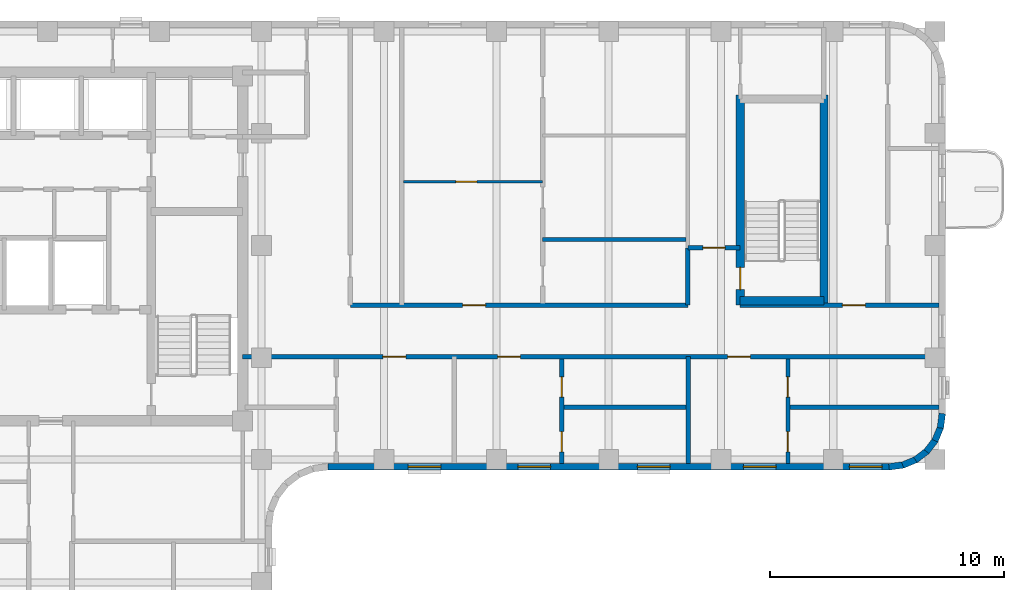
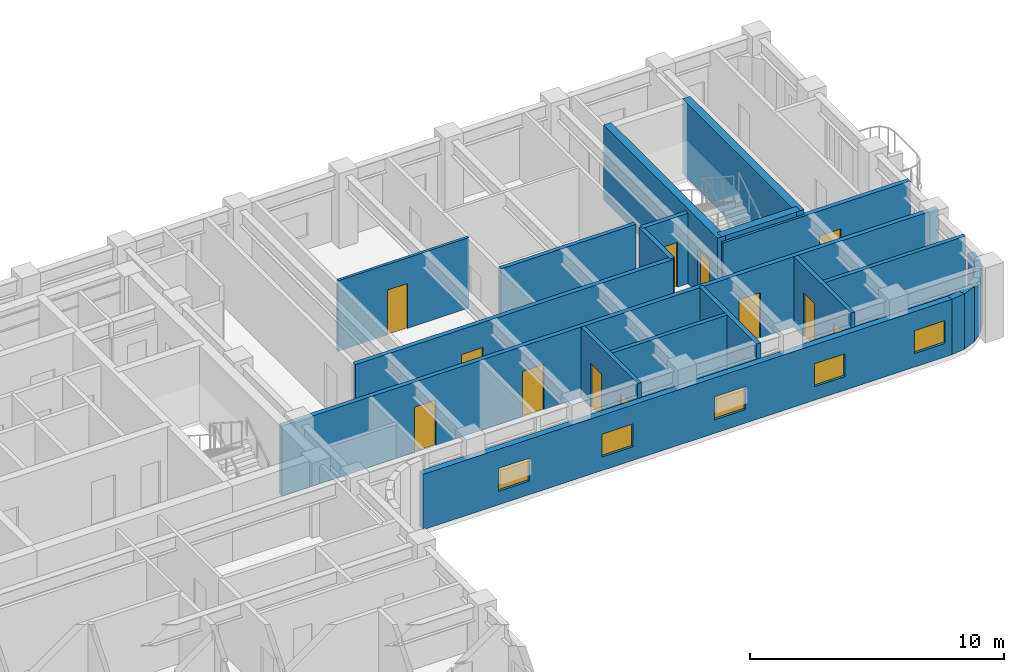
# One storey, part 5 of 10: 22 walls, 12 doors, 5 windows, 17 openings.
"""IFC4 building model written with IfcOpenShell, lengths in metres."""

from ifc_helpers import new_model, si_unit, direction, frame, frame_2d, origin, place, context, subcontext, project, spatial, rectangle, extrude, material, layer, layer_set, type_object, element, fill, save


model = new_model("IFC4")

# Units and contexts
model_context = context("Model", 3, precision=1e-05, world=origin(), true_north=direction((0.0, 1.0)))
body_context = subcontext(model_context, "Body", "Model", "MODEL_VIEW")
ifc_project = project(units=[si_unit("LENGTHUNIT", "METRE"), si_unit("AREAUNIT", "SQUARE_METRE"), si_unit("VOLUMEUNIT", "CUBIC_METRE"), si_unit("PLANEANGLEUNIT", "RADIAN"), si_unit("MASSUNIT", "GRAM", prefix="KILO")], contexts=[model_context])

# Site, building, storey
site_placement = place(None, origin())
site = spatial("IfcSite", under=ifc_project, at=site_placement, CompositionType="ELEMENT")
building_placement = place(site_placement, origin())
building = spatial("IfcBuilding", under=site, at=building_placement, Name="Orvandelia Arch Residences", CompositionType="ELEMENT")
storey_placement = place(building_placement, frame((0.0, 0.0, 211.0)))
storey = spatial("IfcBuildingStorey", under=building, at=storey_placement, Name="L55", CompositionType="ELEMENT", Elevation=211.0)

# Wall, opening, door
ifc_material_1 = material(Name="Concrete C50/60", Category="concrete")
ifc_layer_1 = layer(ifc_material_1, 0.35009765625, Name="Concrete C50/60", Category="concrete")
ifc_layer_set_1 = layer_set([ifc_layer_1], Name="Concrete C50/60")
wall_type_1 = type_object("IfcWallType", Name="WL-CORE-350", PredefinedType="SHEAR", material=ifc_layer_set_1)
wall_1_placement = place(storey_placement, frame((44.02001953125, 35.864990234375, 0.0), z_axis=(0.0, 0.0, 1.0), x_axis=(0.0, 1.0, 0.0)))
wall_1 = element("IfcWall", 1, at=wall_1_placement, inside=storey, type_object=wall_type_1, Name="East Stair Core Shear Wall L55-W", PredefinedType="SHEAR", context=body_context, shape_type="SweptSolid", body=[
    extrude(rectangle(XDim=8.969970703125, YDim=0.35009765625, at=frame_2d((4.48486328125, 0.0))), origin(), (0.0, 0.0, 1.0), 3.60009765625),
])
opening_1_placement = place(wall_1_placement, frame((0.64990234375, 0.0, 0.0)))
opening_1 = element("IfcOpeningElement", 2, at=opening_1_placement, cuts=wall_1, Name="Opening D7", PredefinedType="OPENING", context=body_context, shape_type="SweptSolid", body=[
    extrude(rectangle(XDim=0.949951171875, YDim=2.10009765625, at=frame_2d((0.47509765625, 1.050048828125))), frame((0.0, 0.18505859375, 0.0), z_axis=(0.0, -1.0, 0.0), x_axis=(1.0, 0.0, 0.0)), (0.0, 0.0, 1.0), 0.3701171875),
])
ifc_material_2 = material(Name="Pressurised Stairwell Fire Door")
door_type_1 = type_object("IfcDoorType", Name="DR-STAIR-950", OperationType="NOTDEFINED", PredefinedType="DOOR", material=ifc_material_2)
door_1_placement = place(opening_1_placement, origin())
door_1 = element("IfcDoor", 3, at=door_1_placement, inside=storey, type_object=door_type_1, Name="East Stairwell ST-3 Fire Door L55", OperationType="SINGLE_SWING_LEFT", OverallHeight=2.10009765625, OverallWidth=0.949951171875, PredefinedType="DOOR", context=body_context, shape_type="SweptSolid", body=[
    extrude(rectangle(XDim=0.949951171875, YDim=2.10009765625, at=frame_2d((0.47509765625, 1.050048828125))), frame((0.0, 0.02490234375, 0.0), z_axis=(0.0, -1.0, 0.0), x_axis=(1.0, 0.0, 0.0)), (0.0, 0.0, 1.0), 0.050048828125),
])
fill(opening_1, door_1)

# Walls
wall_2_placement = place(storey_placement, frame((47.60009765625, 35.864990234375, 0.0), z_axis=(0.0, 0.0, 1.0), x_axis=(0.0, 1.0, 0.0)))
element("IfcWall", 4, at=wall_2_placement, inside=storey, type_object=wall_type_1, Name="East Stair Core Shear Wall L55-E", PredefinedType="SHEAR", context=body_context, shape_type="SweptSolid", body=[
    extrude(rectangle(XDim=8.969970703125, YDim=0.35009765625, at=frame_2d((4.48486328125, 0.0))), origin(), (0.0, 0.0, 1.0), 3.60009765625),
])
wall_3_placement = place(storey_placement, frame((44.02001953125, 36.0400390625, 0.0), z_axis=(0.0, 0.0, 1.0), x_axis=(1.0, 0.0, 0.0)))
element("IfcWall", 5, at=wall_3_placement, inside=storey, type_object=wall_type_1, Name="East Stair Core Shear Wall L55-S", PredefinedType="SHEAR", context=body_context, shape_type="SweptSolid", body=[
    extrude(rectangle(XDim=3.580078125, YDim=0.35009765625, at=frame_2d((1.7900390625, 0.0))), origin(), (0.0, 0.0, 1.0), 3.60009765625),
])

# Wall, openings, doors
ifc_material_3 = material(Name="Fire-Rated Corridor Partition")
ifc_layer_2 = layer(ifc_material_3, 0.199951171875, Name="Fire-Rated Corridor Partition")
ifc_layer_set_2 = layer_set([ifc_layer_2], Name="Fire-Rated Corridor Partition")
wall_type_2 = type_object("IfcWallType", Name="WL-CORR-200", PredefinedType="PARTITIONING", material=ifc_layer_set_2)
wall_4_placement = place(storey_placement, frame((22.75, 33.64990234375, 0.0), z_axis=(0.0, 0.0, 1.0), x_axis=(1.0, 0.0, 0.0)))
wall_4 = element("IfcWall", 6, at=wall_4_placement, inside=storey, type_object=wall_type_2, Name="Interior Partition Wall WL-L55-ES-S", PredefinedType="PARTITIONING", context=body_context, shape_type="SweptSolid", body=[
    extrude(rectangle(XDim=29.77001953125, YDim=0.199951171875, at=frame_2d((14.885009765625, 0.0))), origin(), (0.0, 0.0, 1.0), 3.3798828125),
])
opening_2_placement = place(wall_4_placement, frame((5.9951171875, 0.0, 0.0)))
opening_2 = element("IfcOpeningElement", 7, at=opening_2_placement, cuts=wall_4, Name="Opening D1", PredefinedType="OPENING", context=body_context, shape_type="SweptSolid", body=[
    extrude(rectangle(XDim=0.97998046875, YDim=2.179931640625, at=frame_2d((0.489990234375, 1.08984375))), frame((0.0, 0.10986328125, 0.0), z_axis=(0.0, -1.0, 0.0), x_axis=(1.0, 0.0, 0.0)), (0.0, 0.0, 1.0), 0.219970703125),
])
opening_3_placement = place(wall_4_placement, frame((10.89599609375, 0.0, 0.0)))
opening_3 = element("IfcOpeningElement", 8, at=opening_3_placement, cuts=wall_4, Name="Opening D1", PredefinedType="OPENING", context=body_context, shape_type="SweptSolid", body=[
    extrude(rectangle(XDim=0.97998046875, YDim=2.179931640625, at=frame_2d((0.489990234375, 1.08984375))), frame((0.0, 0.10986328125, 0.0), z_axis=(0.0, -1.0, 0.0), x_axis=(1.0, 0.0, 0.0)), (0.0, 0.0, 1.0), 0.219970703125),
])
opening_4_placement = place(wall_4_placement, frame((20.72998046875, 0.0, 0.0)))
opening_4 = element("IfcOpeningElement", 9, at=opening_4_placement, cuts=wall_4, Name="Opening D1", PredefinedType="OPENING", context=body_context, shape_type="SweptSolid", body=[
    extrude(rectangle(XDim=0.97998046875, YDim=2.179931640625, at=frame_2d((0.489990234375, 1.08984375))), frame((0.0, 0.10986328125, 0.0), z_axis=(0.0, -1.0, 0.0), x_axis=(1.0, 0.0, 0.0)), (0.0, 0.0, 1.0), 0.219970703125),
])
ifc_material_4 = material(Name="Solid-Core Timber Acoustic Fire Door", Category="wood")
door_type_2 = type_object("IfcDoorType", Name="DR-ENT-980", OperationType="NOTDEFINED", PredefinedType="DOOR", material=ifc_material_4)
door_2_placement = place(opening_2_placement, origin())
door_2 = element("IfcDoor", 10, at=door_2_placement, inside=storey, type_object=door_type_2, Name="Unit L55-07 Entrance Door", OperationType="SINGLE_SWING_LEFT", OverallHeight=2.179931640625, OverallWidth=0.97998046875, PredefinedType="DOOR", context=body_context, shape_type="SweptSolid", body=[
    extrude(rectangle(XDim=0.97998046875, YDim=2.179931640625, at=frame_2d((0.489990234375, 1.08984375))), frame((0.0, 0.02490234375, 0.0), z_axis=(0.0, -1.0, 0.0), x_axis=(1.0, 0.0, 0.0)), (0.0, 0.0, 1.0), 0.050048828125),
])
fill(opening_2, door_2)
door_3_placement = place(opening_3_placement, origin())
door_3 = element("IfcDoor", 11, at=door_3_placement, inside=storey, type_object=door_type_2, Name="Unit L55-08 Entrance Door", OperationType="SINGLE_SWING_RIGHT", OverallHeight=2.179931640625, OverallWidth=0.97998046875, PredefinedType="DOOR", context=body_context, shape_type="SweptSolid", body=[
    extrude(rectangle(XDim=0.97998046875, YDim=2.179931640625, at=frame_2d((0.489990234375, 1.08984375))), frame((0.0, 0.02490234375, 0.0), z_axis=(0.0, -1.0, 0.0), x_axis=(1.0, 0.0, 0.0)), (0.0, 0.0, 1.0), 0.050048828125),
])
fill(opening_3, door_3)
door_4_placement = place(opening_4_placement, origin())
door_4 = element("IfcDoor", 12, at=door_4_placement, inside=storey, type_object=door_type_2, Name="Unit L55-09 Entrance Door", OperationType="SINGLE_SWING_LEFT", OverallHeight=2.179931640625, OverallWidth=0.97998046875, PredefinedType="DOOR", context=body_context, shape_type="SweptSolid", body=[
    extrude(rectangle(XDim=0.97998046875, YDim=2.179931640625, at=frame_2d((0.489990234375, 1.08984375))), frame((0.0, 0.02490234375, 0.0), z_axis=(0.0, -1.0, 0.0), x_axis=(1.0, 0.0, 0.0)), (0.0, 0.0, 1.0), 0.050048828125),
])
fill(opening_4, door_4)

# Wall, opening, door
wall_5_placement = place(storey_placement, frame((27.35009765625, 35.85009765625, 0.0), z_axis=(0.0, 0.0, 1.0), x_axis=(1.0, 0.0, 0.0)))
wall_5 = element("IfcWall", 13, at=wall_5_placement, inside=storey, type_object=wall_type_2, Name="Interior Partition Wall WL-L55-ES-N1", PredefinedType="PARTITIONING", context=body_context, shape_type="SweptSolid", body=[
    extrude(rectangle(XDim=14.429931640625, YDim=0.199951171875, at=frame_2d((7.21484375, 0.0))), origin(), (0.0, 0.0, 1.0), 3.3798828125),
])
opening_5_placement = place(wall_5_placement, frame((4.803466796875, 0.0, 0.0)))
opening_5 = element("IfcOpeningElement", 14, at=opening_5_placement, cuts=wall_5, Name="Opening D1", PredefinedType="OPENING", context=body_context, shape_type="SweptSolid", body=[
    extrude(rectangle(XDim=0.97998046875, YDim=2.179931640625, at=frame_2d((0.489990234375, 1.08984375))), frame((0.0, 0.10986328125, 0.0), z_axis=(0.0, -1.0, 0.0), x_axis=(1.0, 0.0, 0.0)), (0.0, 0.0, 1.0), 0.219970703125),
])
door_5_placement = place(opening_5_placement, origin())
door_5 = element("IfcDoor", 15, at=door_5_placement, inside=storey, type_object=door_type_2, Name="Unit L55-10 Entrance Door", OperationType="SINGLE_SWING_RIGHT", OverallHeight=2.179931640625, OverallWidth=0.97998046875, PredefinedType="DOOR", context=body_context, shape_type="SweptSolid", body=[
    extrude(rectangle(XDim=0.97998046875, YDim=2.179931640625, at=frame_2d((0.489990234375, 1.08984375))), frame((0.0, 0.02490234375, 0.0), z_axis=(0.0, -1.0, 0.0), x_axis=(1.0, 0.0, 0.0)), (0.0, 0.0, 1.0), 0.050048828125),
])
fill(opening_5, door_5)

wall_6_placement = place(storey_placement, frame((44.02001953125, 35.85009765625, 0.0), z_axis=(0.0, 0.0, 1.0), x_axis=(1.0, 0.0, 0.0)))
wall_6 = element("IfcWall", 16, at=wall_6_placement, inside=storey, type_object=wall_type_2, Name="Interior Partition Wall WL-L55-ES-N2", PredefinedType="PARTITIONING", context=body_context, shape_type="SweptSolid", body=[
    extrude(rectangle(XDim=8.5, YDim=0.199951171875, at=frame_2d((4.25, 0.0))), origin(), (0.0, 0.0, 1.0), 3.3798828125),
])
opening_6_placement = place(wall_6_placement, frame((4.37158203125, 0.0, 0.0)))
opening_6 = element("IfcOpeningElement", 17, at=opening_6_placement, cuts=wall_6, Name="Opening D1", PredefinedType="OPENING", context=body_context, shape_type="SweptSolid", body=[
    extrude(rectangle(XDim=0.97998046875, YDim=2.179931640625, at=frame_2d((0.489990234375, 1.08984375))), frame((0.0, 0.10986328125, 0.0), z_axis=(0.0, -1.0, 0.0), x_axis=(1.0, 0.0, 0.0)), (0.0, 0.0, 1.0), 0.219970703125),
])
door_6_placement = place(opening_6_placement, origin())
door_6 = element("IfcDoor", 18, at=door_6_placement, inside=storey, type_object=door_type_2, Name="Unit L55-11 Entrance Door", OperationType="SINGLE_SWING_LEFT", OverallHeight=2.179931640625, OverallWidth=0.97998046875, PredefinedType="DOOR", context=body_context, shape_type="SweptSolid", body=[
    extrude(rectangle(XDim=0.97998046875, YDim=2.179931640625, at=frame_2d((0.489990234375, 1.08984375))), frame((0.0, 0.02490234375, 0.0), z_axis=(0.0, -1.0, 0.0), x_axis=(1.0, 0.0, 0.0)), (0.0, 0.0, 1.0), 0.050048828125),
])
fill(opening_6, door_6)

# Wall
wall_7_placement = place(storey_placement, frame((41.780029296875, 35.85009765625, 0.0), z_axis=(0.0, 0.0, 1.0), x_axis=(0.0, 1.0, 0.0)))
element("IfcWall", 19, at=wall_7_placement, inside=storey, type_object=wall_type_2, Name="Interior Partition Wall WL-L55-ES-SW", PredefinedType="PARTITIONING", context=body_context, shape_type="SweptSolid", body=[
    extrude(rectangle(XDim=2.449951171875, YDim=0.199951171875, at=frame_2d((1.22509765625, 0.0))), origin(), (0.0, 0.0, 1.0), 3.3798828125),
])

# Wall, opening, door
wall_8_placement = place(storey_placement, frame((41.780029296875, 38.300048828125, 0.0), z_axis=(0.0, 0.0, 1.0), x_axis=(1.0, 0.0, 0.0)))
wall_8 = element("IfcWall", 20, at=wall_8_placement, inside=storey, type_object=wall_type_2, Name="Interior Partition Wall WL-L55-ES-SN", PredefinedType="PARTITIONING", context=body_context, shape_type="SweptSolid", body=[
    extrude(rectangle(XDim=2.239990234375, YDim=0.199951171875, at=frame_2d((1.1201171875, 0.0))), origin(), (0.0, 0.0, 1.0), 3.3798828125),
])
opening_7_placement = place(wall_8_placement, frame((0.64990234375, 0.0, 0.0)))
opening_7 = element("IfcOpeningElement", 21, at=opening_7_placement, cuts=wall_8, Name="Opening D2", PredefinedType="OPENING", context=body_context, shape_type="SweptSolid", body=[
    extrude(rectangle(XDim=0.949951171875, YDim=2.14990234375, at=frame_2d((0.47509765625, 1.074951171875))), frame((0.0, 0.10986328125, 0.0), z_axis=(0.0, -1.0, 0.0), x_axis=(1.0, 0.0, 0.0)), (0.0, 0.0, 1.0), 0.219970703125),
])
ifc_material_5 = material(Name="Solid-Core Timber Interior Fire Door", Category="wood")
door_type_3 = type_object("IfcDoorType", Name="DR-APT-950", OperationType="NOTDEFINED", PredefinedType="DOOR", material=ifc_material_5)
door_7_placement = place(opening_7_placement, origin())
door_7 = element("IfcDoor", 22, at=door_7_placement, inside=storey, type_object=door_type_3, Name="DR-L55-ESSPK", OperationType="SINGLE_SWING_LEFT", OverallHeight=2.14990234375, OverallWidth=0.949951171875, PredefinedType="DOOR", context=body_context, shape_type="SweptSolid", body=[
    extrude(rectangle(XDim=0.949951171875, YDim=2.14990234375, at=frame_2d((0.47509765625, 1.074951171875))), frame((0.0, 0.02490234375, 0.0), z_axis=(0.0, -1.0, 0.0), x_axis=(1.0, 0.0, 0.0)), (0.0, 0.0, 1.0), 0.050048828125),
])
fill(opening_7, door_7)

# Walls
ifc_material_6 = material(Name="Concrete C40/50", Category="concrete")
ifc_layer_3 = layer(ifc_material_6, 0.199951171875, Name="Concrete C40/50", Category="concrete")
ifc_layer_set_3 = layer_set([ifc_layer_3], Name="Concrete C40/50")
wall_type_3 = type_object("IfcWallType", Name="WL-DEM-200", PredefinedType="SOLIDWALL", material=ifc_layer_set_3)
wall_9_placement = place(storey_placement, frame((41.800048828125, 29.080078125, 0.0), z_axis=(0.0, 0.0, 1.0), x_axis=(0.0, 1.0, 0.0)))
element("IfcWall", 23, at=wall_9_placement, inside=storey, type_object=wall_type_3, Name="Interior Partition Wall WL-L55-DEM-ESS-418", PredefinedType="SOLIDWALL", context=body_context, shape_type="SweptSolid", body=[
    extrude(rectangle(XDim=4.56982421875, YDim=0.199951171875, at=frame_2d((2.284912109375, 0.0))), origin(), (0.0, 0.0, 1.0), 3.3798828125),
])
ifc_material_7 = material(Name="Precast concrete C40/50", Category="concrete")
ifc_layer_4 = layer(ifc_material_7, 0.280029296875, Name="Precast concrete C40/50", Category="concrete")
ifc_layer_set_4 = layer_set([ifc_layer_4], Name="Precast concrete C40/50")
wall_type_4 = type_object("IfcWallType", Name="WL-EXT-STONE-280", PredefinedType="STANDARD", material=ifc_layer_set_4)
wall_10_placement = place(storey_placement, frame((52.6611328125, 31.21826171875, 0.0), z_axis=(0.0, 0.0, 1.0), x_axis=(-0.130555323746, -0.9914410257, 0.0)))
element("IfcWall", 24, at=wall_10_placement, inside=storey, type_object=wall_type_4, Name="Coral-Limestone Precast Facade Wall L55-015", PredefinedType="STANDARD", context=body_context, shape_type="SweptSolid", body=[
    extrude(rectangle(XDim=0.62646484375, YDim=0.280029296875, at=frame_2d((0.313232421875, 0.0))), origin(), (0.0, 0.0, 1.0), 2.659912109375),
])
wall_11_placement = place(storey_placement, frame((52.5888671875, 30.63232421875, 0.0), z_axis=(0.0, 0.0, 1.0), x_axis=(-0.382787856107, -0.923836271867, 0.0)))
element("IfcWall", 25, at=wall_11_placement, inside=storey, type_object=wall_type_4, Name="Coral-Limestone Precast Facade Wall L55-016", PredefinedType="STANDARD", context=body_context, shape_type="SweptSolid", body=[
    extrude(rectangle(XDim=0.626220703125, YDim=0.280029296875, at=frame_2d((0.31298828125, 0.0))), origin(), (0.0, 0.0, 1.0), 2.659912109375),
])
for number, where, z_axis, x_axis, name in (
    (26, (52.367431640625, 30.085205078125, 0.0), (0.0, 0.0, 1.0), (-0.608693302629, -0.793405610854, 0.0), "Coral-Limestone Precast Facade Wall L55-017"),
    (27, (52.011962890625, 29.614013671875, 0.0), (0.0, 0.0, 1.0), (-0.793405610854, -0.608693302629, 0.0), "Coral-Limestone Precast Facade Wall L55-018"),
    (28, (51.54638671875, 29.250732421875, 0.0), (0.0, 0.0, 1.0), (-0.92389335771, -0.382650053678, 0.0), "Coral-Limestone Precast Facade Wall L55-019"),
):
    element("IfcWall", number, at=place(storey_placement, frame(where, z_axis=z_axis, x_axis=x_axis)), inside=storey, type_object=wall_type_4, Name=name, PredefinedType="STANDARD", context=body_context, shape_type="SweptSolid", body=[
        extrude(rectangle(XDim=0.62646484375, YDim=0.280029296875, at=frame_2d((0.313232421875, 0.0))), origin(), (0.0, 0.0, 1.0), 2.659912109375),
    ])
wall_12_placement = place(storey_placement, frame((51.0029296875, 29.0205078125, 0.0), z_axis=(0.0, 0.0, 1.0), x_axis=(-0.991447664465, -0.130504898859, 0.0)))
element("IfcWall", 29, at=wall_12_placement, inside=storey, type_object=wall_type_4, Name="Coral-Limestone Precast Facade Wall L55-020", PredefinedType="STANDARD", context=body_context, shape_type="SweptSolid", body=[
    extrude(rectangle(XDim=0.626708984375, YDim=0.280029296875, at=frame_2d((0.3134765625, 0.0))), origin(), (0.0, 0.0, 1.0), 2.659912109375),
])

# Wall, openings, windows
wall_13_placement = place(storey_placement, frame((50.39990234375, 28.93994140625, 0.0), z_axis=(0.0, 0.0, 1.0), x_axis=(-1.0, 0.0, 0.0)))
wall_13 = element("IfcWall", 30, at=wall_13_placement, inside=storey, type_object=wall_type_4, Name="Coral-Limestone Precast Facade Wall L55-021", PredefinedType="STANDARD", context=body_context, shape_type="SweptSolid", body=[
    extrude(rectangle(XDim=24.0, YDim=0.280029296875, at=frame_2d((12.0, 0.0))), origin(), (0.0, 0.0, 1.0), 2.659912109375),
])
opening_8_placement = place(wall_13_placement, frame((19.177490234375, 0.0, 0.64990234375)))
opening_8 = element("IfcOpeningElement", 31, at=opening_8_placement, cuts=wall_13, Name="Opening W10", PredefinedType="OPENING", context=body_context, shape_type="SweptSolid", body=[
    extrude(rectangle(XDim=1.39990234375, YDim=1.10009765625, at=frame_2d((0.699951171875, 0.550048828125))), frame((0.0, 0.14990234375, 0.0), z_axis=(0.0, -1.0, 0.0), x_axis=(1.0, 0.0, 0.0)), (0.0, 0.0, 1.0), 0.300048828125),
])
opening_9_placement = place(wall_13_placement, frame((14.4814453125, 0.0, 0.64990234375)))
opening_9 = element("IfcOpeningElement", 32, at=opening_9_placement, cuts=wall_13, Name="Opening W10", PredefinedType="OPENING", context=body_context, shape_type="SweptSolid", body=[
    extrude(rectangle(XDim=1.39990234375, YDim=1.10009765625, at=frame_2d((0.699951171875, 0.550048828125))), frame((0.0, 0.14990234375, 0.0), z_axis=(0.0, -1.0, 0.0), x_axis=(1.0, 0.0, 0.0)), (0.0, 0.0, 1.0), 0.300048828125),
])
opening_10_placement = place(wall_13_placement, frame((4.847412109375, 0.0, 0.64990234375)))
opening_10 = element("IfcOpeningElement", 33, at=opening_10_placement, cuts=wall_13, Name="Opening W10", PredefinedType="OPENING", context=body_context, shape_type="SweptSolid", body=[
    extrude(rectangle(XDim=1.39990234375, YDim=1.10009765625, at=frame_2d((0.699951171875, 0.550048828125))), frame((0.0, 0.14990234375, 0.0), z_axis=(0.0, -1.0, 0.0), x_axis=(1.0, 0.0, 0.0)), (0.0, 0.0, 1.0), 0.300048828125),
])
opening_11_placement = place(wall_13_placement, frame((9.37744140625, 0.0, 0.64990234375)))
opening_11 = element("IfcOpeningElement", 34, at=opening_11_placement, cuts=wall_13, Name="Opening W10", PredefinedType="OPENING", context=body_context, shape_type="SweptSolid", body=[
    extrude(rectangle(XDim=1.39990234375, YDim=1.10009765625, at=frame_2d((0.699951171875, 0.550048828125))), frame((0.0, 0.14990234375, 0.0), z_axis=(0.0, -1.0, 0.0), x_axis=(1.0, 0.0, 0.0)), (0.0, 0.0, 1.0), 0.300048828125),
])
opening_12_placement = place(wall_13_placement, frame((0.3076171875, 0.0, 0.64990234375)))
opening_12 = element("IfcOpeningElement", 35, at=opening_12_placement, cuts=wall_13, Name="Opening W10", PredefinedType="OPENING", context=body_context, shape_type="SweptSolid", body=[
    extrude(rectangle(XDim=1.39990234375, YDim=1.10009765625, at=frame_2d((0.699951171875, 0.550048828125))), frame((0.0, 0.14990234375, 0.0), z_axis=(0.0, -1.0, 0.0), x_axis=(1.0, 0.0, 0.0)), (0.0, 0.0, 1.0), 0.300048828125),
])
ifc_material_8 = material(Name="Tempered Low-E Insulated Glazing", Category="glass")
window_type = type_object("IfcWindowType", Name="WIN-CLR-1400x1100", PartitioningType="SINGLE_PANEL", PredefinedType="WINDOW", material=ifc_material_8)
window_1_placement = place(opening_8_placement, origin())
window_1 = element("IfcWindow", 36, at=window_1_placement, inside=storey, type_object=window_type, Name="Recessed Punched Window L55-012", OverallHeight=1.10009765625, OverallWidth=1.39990234375, PartitioningType="SINGLE_PANEL", PredefinedType="WINDOW", context=body_context, shape_type="SweptSolid", body=[
    extrude(rectangle(XDim=1.39990234375, YDim=1.10009765625, at=frame_2d((0.699951171875, 0.550048828125))), frame((0.0, 0.030029296875, 0.0), z_axis=(0.0, -1.0, 0.0), x_axis=(1.0, 0.0, 0.0)), (0.0, 0.0, 1.0), 0.06005859375),
])
fill(opening_8, window_1)
window_2_placement = place(opening_9_placement, origin())
window_2 = element("IfcWindow", 37, at=window_2_placement, inside=storey, type_object=window_type, Name="Recessed Punched Window L55-013", OverallHeight=1.10009765625, OverallWidth=1.39990234375, PartitioningType="SINGLE_PANEL", PredefinedType="WINDOW", context=body_context, shape_type="SweptSolid", body=[
    extrude(rectangle(XDim=1.39990234375, YDim=1.10009765625, at=frame_2d((0.699951171875, 0.550048828125))), frame((0.0, 0.030029296875, 0.0), z_axis=(0.0, -1.0, 0.0), x_axis=(1.0, 0.0, 0.0)), (0.0, 0.0, 1.0), 0.06005859375),
])
fill(opening_9, window_2)
window_3_placement = place(opening_10_placement, origin())
window_3 = element("IfcWindow", 38, at=window_3_placement, inside=storey, type_object=window_type, Name="Recessed Punched Window L55-014", OverallHeight=1.10009765625, OverallWidth=1.39990234375, PartitioningType="SINGLE_PANEL", PredefinedType="WINDOW", context=body_context, shape_type="SweptSolid", body=[
    extrude(rectangle(XDim=1.39990234375, YDim=1.10009765625, at=frame_2d((0.699951171875, 0.550048828125))), frame((0.0, 0.030029296875, 0.0), z_axis=(0.0, -1.0, 0.0), x_axis=(1.0, 0.0, 0.0)), (0.0, 0.0, 1.0), 0.06005859375),
])
fill(opening_10, window_3)
window_4_placement = place(opening_11_placement, origin())
window_4 = element("IfcWindow", 39, at=window_4_placement, inside=storey, type_object=window_type, Name="Recessed Punched Window L55-015", OverallHeight=1.10009765625, OverallWidth=1.39990234375, PartitioningType="SINGLE_PANEL", PredefinedType="WINDOW", context=body_context, shape_type="SweptSolid", body=[
    extrude(rectangle(XDim=1.39990234375, YDim=1.10009765625, at=frame_2d((0.699951171875, 0.550048828125))), frame((0.0, 0.030029296875, 0.0), z_axis=(0.0, -1.0, 0.0), x_axis=(1.0, 0.0, 0.0)), (0.0, 0.0, 1.0), 0.06005859375),
])
fill(opening_11, window_4)
window_5_placement = place(opening_12_placement, origin())
window_5 = element("IfcWindow", 40, at=window_5_placement, inside=storey, type_object=window_type, Name="Recessed Punched Window L55-016", OverallHeight=1.10009765625, OverallWidth=1.39990234375, PartitioningType="SINGLE_PANEL", PredefinedType="WINDOW", context=body_context, shape_type="SweptSolid", body=[
    extrude(rectangle(XDim=1.39990234375, YDim=1.10009765625, at=frame_2d((0.699951171875, 0.550048828125))), frame((0.0, 0.030029296875, 0.0), z_axis=(0.0, -1.0, 0.0), x_axis=(1.0, 0.0, 0.0)), (0.0, 0.0, 1.0), 0.06005859375),
])
fill(opening_12, window_5)

# Wall, opening, door
ifc_material_9 = material(Name="Lightweight Gypsum Stud Partition")
ifc_layer_5 = layer(ifc_material_9, 0.1201171875, Name="Lightweight Gypsum Stud Partition")
ifc_layer_set_5 = layer_set([ifc_layer_5], Name="Lightweight Gypsum Stud Partition")
wall_type_5 = type_object("IfcWallType", Name="WL-PART-120", PredefinedType="PARTITIONING", material=ifc_layer_set_5)
wall_14_placement = place(storey_placement, frame((29.6298828125, 41.1259765625, 0.0), z_axis=(0.0, 0.0, 1.0), x_axis=(1.0, 0.0, 0.0)))
wall_14 = element("IfcWall", 41, at=wall_14_placement, inside=storey, type_object=wall_type_5, Name="Interior Partition Wall WL-L55-U10-DIN", PredefinedType="PARTITIONING", context=body_context, shape_type="SweptSolid", body=[
    extrude(rectangle(XDim=5.947021484375, YDim=0.1201171875, at=frame_2d((2.9736328125, 0.0))), origin(), (0.0, 0.0, 1.0), 3.3798828125),
])
opening_13_placement = place(wall_14_placement, frame((2.235107421875, 0.0, 0.0)))
opening_13 = element("IfcOpeningElement", 42, at=opening_13_placement, cuts=wall_14, Name="Opening D3", PredefinedType="OPENING", context=body_context, shape_type="SweptSolid", body=[
    extrude(rectangle(XDim=0.89990234375, YDim=2.14990234375, at=frame_2d((0.449951171875, 1.074951171875))), frame((0.0, 0.070068359375, 0.0), z_axis=(0.0, -1.0, 0.0), x_axis=(1.0, 0.0, 0.0)), (0.0, 0.0, 1.0), 0.14013671875),
])
ifc_material_10 = material(Name="Engineered Timber Flush Door", Category="wood")
door_type_4 = type_object("IfcDoorType", Name="DR-INT-900", OperationType="NOTDEFINED", PredefinedType="DOOR", material=ifc_material_10)
door_8_placement = place(opening_13_placement, origin())
door_8 = element("IfcDoor", 43, at=door_8_placement, inside=storey, type_object=door_type_4, Name="DR-L55-U10-DIN", OperationType="SINGLE_SWING_LEFT", OverallHeight=2.14990234375, OverallWidth=0.89990234375, PredefinedType="DOOR", context=body_context, shape_type="SweptSolid", body=[
    extrude(rectangle(XDim=0.89990234375, YDim=2.14990234375, at=frame_2d((0.449951171875, 1.074951171875))), frame((0.0, 0.02490234375, 0.0), z_axis=(0.0, -1.0, 0.0), x_axis=(1.0, 0.0, 0.0)), (0.0, 0.0, 1.0), 0.050048828125),
])
fill(opening_13, door_8)

# Wall, openings, doors
ifc_material_11 = material(Name="Moisture-Resistant Plumbing Wall")
ifc_layer_6 = layer(ifc_material_11, 0.179931640625, Name="Moisture-Resistant Plumbing Wall")
ifc_layer_set_6 = layer_set([ifc_layer_6], Name="Moisture-Resistant Plumbing Wall")
wall_type_6 = type_object("IfcWallType", Name="WL-WET-180", PredefinedType="PLUMBINGWALL", material=ifc_layer_set_6)
wall_15_placement = place(storey_placement, frame((36.39208984375, 29.080078125, 0.0), z_axis=(0.0, 0.0, 1.0), x_axis=(0.0, 1.0, 0.0)))
wall_15 = element("IfcWall", 44, at=wall_15_placement, inside=storey, type_object=wall_type_6, Name="Interior Partition Wall WL-L55-U08-VT", PredefinedType="PLUMBINGWALL", context=body_context, shape_type="SweptSolid", body=[
    extrude(rectangle(XDim=4.469970703125, YDim=0.179931640625, at=frame_2d((2.23486328125, 0.0))), origin(), (0.0, 0.0, 1.0), 3.3798828125),
])
opening_14_placement = place(wall_15_placement, frame((0.498779296875, 0.0, 0.0)))
opening_14 = element("IfcOpeningElement", 45, at=opening_14_placement, cuts=wall_15, Name="Opening D4", PredefinedType="OPENING", context=body_context, shape_type="SweptSolid", body=[
    extrude(rectangle(XDim=0.860107421875, YDim=2.10009765625, at=frame_2d((0.43017578125, 1.050048828125))), frame((0.0, 0.10009765625, 0.0), z_axis=(0.0, -1.0, 0.0), x_axis=(1.0, 0.0, 0.0)), (0.0, 0.0, 1.0), 0.199951171875),
])
opening_15_placement = place(wall_15_placement, frame((2.839111328125, 0.0, 0.0)))
opening_15 = element("IfcOpeningElement", 46, at=opening_15_placement, cuts=wall_15, Name="Opening D4", PredefinedType="OPENING", context=body_context, shape_type="SweptSolid", body=[
    extrude(rectangle(XDim=0.860107421875, YDim=2.10009765625, at=frame_2d((0.43017578125, 1.050048828125))), frame((0.0, 0.10009765625, 0.0), z_axis=(0.0, -1.0, 0.0), x_axis=(1.0, 0.0, 0.0)), (0.0, 0.0, 1.0), 0.199951171875),
])
ifc_material_12 = material(Name="Moisture-Sealed Timber Bathroom Door", Category="wood")
door_type_5 = type_object("IfcDoorType", Name="DR-WET-900", OperationType="NOTDEFINED", PredefinedType="DOOR", material=ifc_material_12)
door_9_placement = place(opening_14_placement, origin())
door_9 = element("IfcDoor", 47, at=door_9_placement, inside=storey, type_object=door_type_5, Name="DR-L55-U08-KIT", OperationType="SINGLE_SWING_RIGHT", OverallHeight=2.10009765625, OverallWidth=0.860107421875, PredefinedType="DOOR", context=body_context, shape_type="SweptSolid", body=[
    extrude(rectangle(XDim=0.860107421875, YDim=2.10009765625, at=frame_2d((0.43017578125, 1.050048828125))), frame((0.0, 0.02490234375, 0.0), z_axis=(0.0, -1.0, 0.0), x_axis=(1.0, 0.0, 0.0)), (0.0, 0.0, 1.0), 0.050048828125),
])
fill(opening_14, door_9)
door_10_placement = place(opening_15_placement, origin())
door_10 = element("IfcDoor", 48, at=door_10_placement, inside=storey, type_object=door_type_5, Name="DR-L55-U08-BTH", OperationType="SINGLE_SWING_LEFT", OverallHeight=2.10009765625, OverallWidth=0.860107421875, PredefinedType="DOOR", context=body_context, shape_type="SweptSolid", body=[
    extrude(rectangle(XDim=0.860107421875, YDim=2.10009765625, at=frame_2d((0.43017578125, 1.050048828125))), frame((0.0, 0.02490234375, 0.0), z_axis=(0.0, -1.0, 0.0), x_axis=(1.0, 0.0, 0.0)), (0.0, 0.0, 1.0), 0.050048828125),
])
fill(opening_15, door_10)

# Wall
wall_16_placement = place(storey_placement, frame((36.39208984375, 31.485107421875, 0.0), z_axis=(0.0, 0.0, 1.0), x_axis=(1.0, 0.0, 0.0)))
element("IfcWall", 49, at=wall_16_placement, inside=storey, type_object=wall_type_6, Name="Interior Partition Wall WL-L55-U08-H1", PredefinedType="PLUMBINGWALL", context=body_context, shape_type="SweptSolid", body=[
    extrude(rectangle(XDim=5.407958984375, YDim=0.179931640625, at=frame_2d((2.7041015625, 0.0))), origin(), (0.0, 0.0, 1.0), 3.3798828125),
])

# Wall, openings, doors
wall_17_placement = place(storey_placement, frame((46.06005859375, 29.080078125, 0.0), z_axis=(0.0, 0.0, 1.0), x_axis=(0.0, 1.0, 0.0)))
wall_17 = element("IfcWall", 50, at=wall_17_placement, inside=storey, type_object=wall_type_6, Name="Interior Partition Wall WL-L55-U09-VT", PredefinedType="PLUMBINGWALL", context=body_context, shape_type="SweptSolid", body=[
    extrude(rectangle(XDim=4.469970703125, YDim=0.179931640625, at=frame_2d((2.23486328125, 0.0))), origin(), (0.0, 0.0, 1.0), 3.3798828125),
])
opening_16_placement = place(wall_17_placement, frame((0.498779296875, 0.0, 0.0)))
opening_16 = element("IfcOpeningElement", 51, at=opening_16_placement, cuts=wall_17, Name="Opening D4", PredefinedType="OPENING", context=body_context, shape_type="SweptSolid", body=[
    extrude(rectangle(XDim=0.860107421875, YDim=2.10009765625, at=frame_2d((0.43017578125, 1.050048828125))), frame((0.0, 0.10009765625, 0.0), z_axis=(0.0, -1.0, 0.0), x_axis=(1.0, 0.0, 0.0)), (0.0, 0.0, 1.0), 0.199951171875),
])
opening_17_placement = place(wall_17_placement, frame((2.839111328125, 0.0, 0.0)))
opening_17 = element("IfcOpeningElement", 52, at=opening_17_placement, cuts=wall_17, Name="Opening D4", PredefinedType="OPENING", context=body_context, shape_type="SweptSolid", body=[
    extrude(rectangle(XDim=0.860107421875, YDim=2.10009765625, at=frame_2d((0.43017578125, 1.050048828125))), frame((0.0, 0.10009765625, 0.0), z_axis=(0.0, -1.0, 0.0), x_axis=(1.0, 0.0, 0.0)), (0.0, 0.0, 1.0), 0.199951171875),
])
door_11_placement = place(opening_16_placement, origin())
door_11 = element("IfcDoor", 53, at=door_11_placement, inside=storey, type_object=door_type_5, Name="DR-L55-U09-KIT", OperationType="SINGLE_SWING_LEFT", OverallHeight=2.10009765625, OverallWidth=0.860107421875, PredefinedType="DOOR", context=body_context, shape_type="SweptSolid", body=[
    extrude(rectangle(XDim=0.860107421875, YDim=2.10009765625, at=frame_2d((0.43017578125, 1.050048828125))), frame((0.0, 0.02490234375, 0.0), z_axis=(0.0, -1.0, 0.0), x_axis=(1.0, 0.0, 0.0)), (0.0, 0.0, 1.0), 0.050048828125),
])
fill(opening_16, door_11)
door_12_placement = place(opening_17_placement, origin())
door_12 = element("IfcDoor", 54, at=door_12_placement, inside=storey, type_object=door_type_5, Name="DR-L55-U09-BTH", OperationType="SINGLE_SWING_RIGHT", OverallHeight=2.10009765625, OverallWidth=0.860107421875, PredefinedType="DOOR", context=body_context, shape_type="SweptSolid", body=[
    extrude(rectangle(XDim=0.860107421875, YDim=2.10009765625, at=frame_2d((0.43017578125, 1.050048828125))), frame((0.0, 0.02490234375, 0.0), z_axis=(0.0, -1.0, 0.0), x_axis=(1.0, 0.0, 0.0)), (0.0, 0.0, 1.0), 0.050048828125),
])
fill(opening_17, door_12)

# Walls
wall_18_placement = place(storey_placement, frame((46.06005859375, 31.485107421875, 0.0), z_axis=(0.0, 0.0, 1.0), x_axis=(1.0, 0.0, 0.0)))
element("IfcWall", 55, at=wall_18_placement, inside=storey, type_object=wall_type_6, Name="Interior Partition Wall WL-L55-U09-H1", PredefinedType="PLUMBINGWALL", context=body_context, shape_type="SweptSolid", body=[
    extrude(rectangle(XDim=6.4599609375, YDim=0.179931640625, at=frame_2d((3.22998046875, 0.0))), origin(), (0.0, 0.0, 1.0), 3.3798828125),
])
wall_19_placement = place(storey_placement, frame((35.576904296875, 38.659912109375, 0.0), z_axis=(0.0, 0.0, 1.0), x_axis=(1.0, 0.0, 0.0)))
element("IfcWall", 56, at=wall_19_placement, inside=storey, type_object=wall_type_6, Name="Interior Partition Wall WL-L55-U10-H1", PredefinedType="PLUMBINGWALL", context=body_context, shape_type="SweptSolid", body=[
    extrude(rectangle(XDim=6.123046875, YDim=0.179931640625, at=frame_2d((3.0615234375, 0.0))), origin(), (0.0, 0.0, 1.0), 3.3798828125),
])

save(model, "model.ifc")
